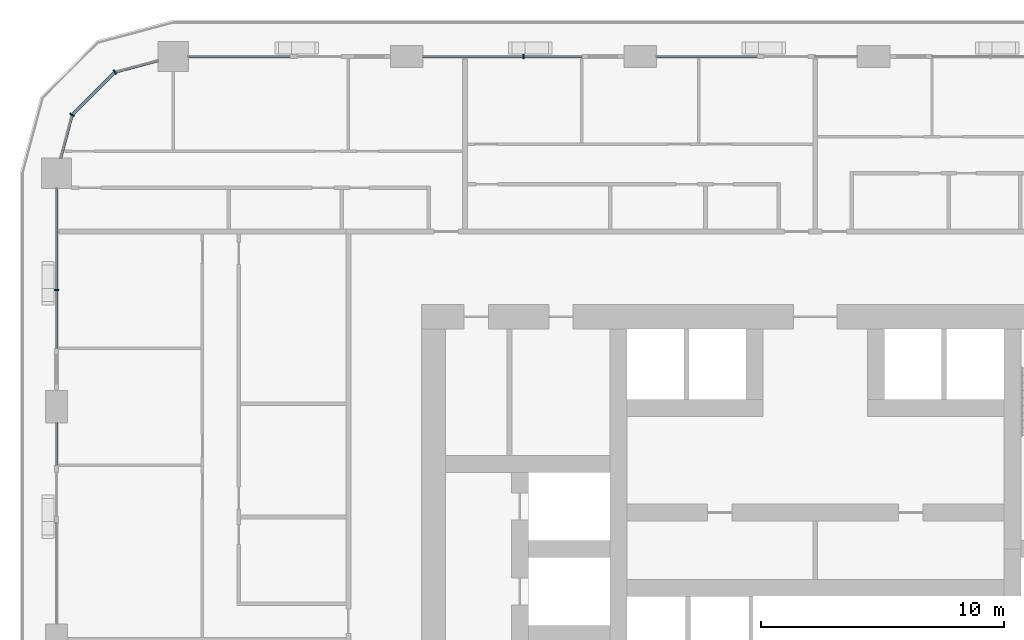
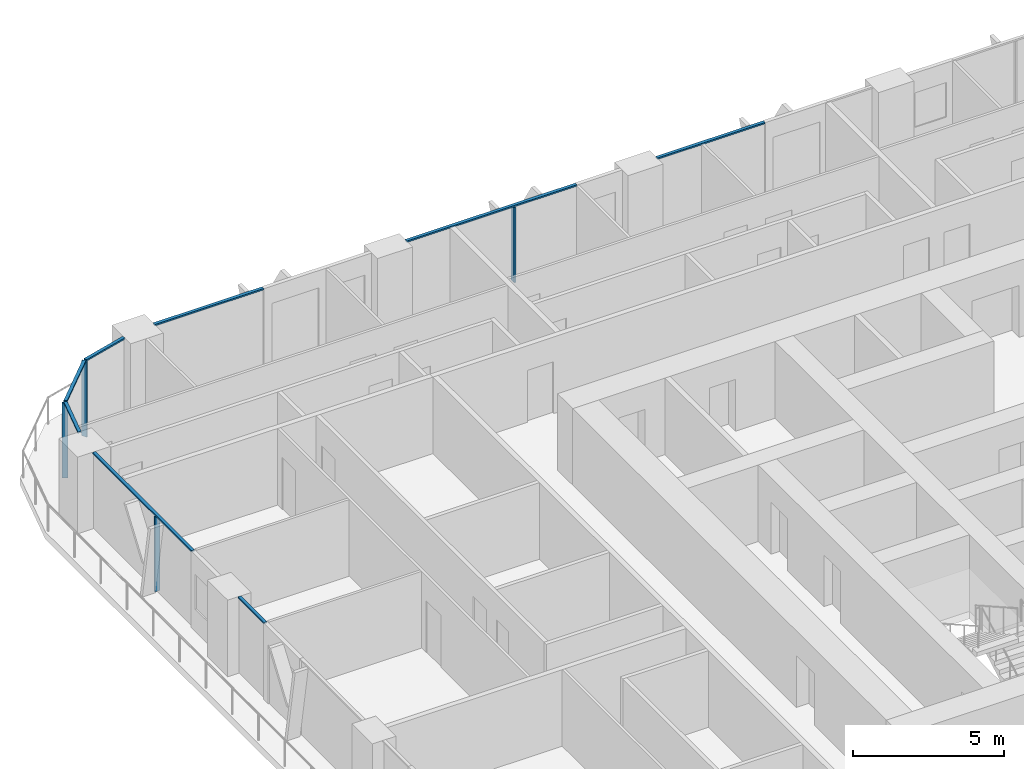
# One storey, part 5 of 21: 12 members, 6 elements without a shape of their own.
"""IFC4 building model written with IfcOpenShell, lengths in metres."""

from ifc_helpers import new_model, si_unit, direction, frame, origin, origin_2d, place, context, subcontext, project, spatial, rectangle, extrude, material, layer, layer_set, material_profile, profile_set, type_object, element, aggregate, save


model = new_model("IFC4")

# Units and contexts
model_context = context("Model", 3, precision=1e-05, world=origin(), true_north=direction((0.0, 1.0)))
body_context = subcontext(model_context, "Body", "Model", "MODEL_VIEW")
ifc_project = project(units=[si_unit("LENGTHUNIT", "METRE"), si_unit("AREAUNIT", "SQUARE_METRE"), si_unit("VOLUMEUNIT", "CUBIC_METRE"), si_unit("PLANEANGLEUNIT", "RADIAN"), si_unit("MASSUNIT", "GRAM", prefix="KILO")], contexts=[model_context])

# Site, building, storey
site_placement = place(None, origin())
site = spatial("IfcSite", under=ifc_project, at=site_placement, CompositionType="ELEMENT")
building_placement = place(site_placement, origin())
building = spatial("IfcBuilding", under=site, at=building_placement, Name="Madar Terraces", CompositionType="ELEMENT")
storey_placement = place(building_placement, frame((0.0, 0.0, 50.39990234375)))
storey = spatial("IfcBuildingStorey", under=building, at=storey_placement, Name="L12", CompositionType="ELEMENT", Elevation=50.39990234375)

# Curtain wall, member
ifc_material_1 = material(Name="Glass, ceramic frit dark grey, with black aluminium frame", Category="aluminium")
ifc_layer = layer(ifc_material_1, 0.199951171875)
ifc_layer_set = layer_set([ifc_layer], Name="Facade curtain wall, fritted glass")
curtain_wall_type = type_object("IfcCurtainWallType", Name="Facade curtain wall, fritted glass", PredefinedType="NOTDEFINED", material=ifc_layer_set)
curtain_wall_1_placement = place(storey_placement, origin())
curtain_wall_1 = element("IfcCurtainWall", 1, at=curtain_wall_1_placement, inside=storey, type_object=curtain_wall_type, Name="Outer skin curtain wall north bay 4", PredefinedType="NOTDEFINED")
ifc_material_2 = material(Name="Aluminium, black anodised", Category="aluminium")
ifc_material_profile_1 = material_profile(ifc_material_2, rectangle(XDim=0.199951171875, YDim=0.06005859375, at=origin_2d()), Name="Facade mullion 60x200")
ifc_profile_set_1 = profile_set([ifc_material_profile_1], Name="Aluminium, black anodised")
member_type_1 = type_object("IfcMemberType", Name="Facade mullion 60x200", PredefinedType="MULLION", material=ifc_profile_set_1)
member_1_placement = place(storey_placement, frame((19.199951171875, 48.0, 0.0), z_axis=(0.0, 0.0, 1.0), x_axis=(0.0, -1.0, 0.0)))
member_1 = element("IfcMember", 2, at=member_1_placement, type_object=member_type_1, Name="Mullion 1", PredefinedType="MULLION", context=body_context, shape_type="SweptSolid", body=[
    extrude(rectangle(XDim=0.199951171875, YDim=0.06005859375, at=origin_2d()), origin(), (0.0, 0.0, 1.0), 3.0400390625),
])

curtain_wall_2_placement = place(storey_placement, origin())
curtain_wall_2 = element("IfcCurtainWall", 3, at=curtain_wall_2_placement, inside=storey, type_object=curtain_wall_type, Name="Outer skin curtain wall west bay 1", PredefinedType="NOTDEFINED")
member_2_placement = place(storey_placement, frame((0.0, 38.39990234375, 0.0), z_axis=(0.0, 0.0, 1.0), x_axis=(1.0, 0.0, 0.0)))
member_2 = element("IfcMember", 4, at=member_2_placement, type_object=member_type_1, Name="Mullion 1", PredefinedType="MULLION", context=body_context, shape_type="SweptSolid", body=[
    extrude(rectangle(XDim=0.199951171875, YDim=0.06005859375, at=origin_2d()), origin(), (0.0, 0.0, 1.0), 3.0400390625),
])

# Curtain wall, members
curtain_wall_3_placement = place(storey_placement, origin())
curtain_wall_3 = element("IfcCurtainWall", 5, at=curtain_wall_3_placement, inside=storey, type_object=curtain_wall_type, Name="Outer skin curtain wall north-west corner", PredefinedType="NOTDEFINED")
member_3_placement = place(storey_placement, frame((2.39990234375, 47.35693359375, 0.0), z_axis=(0.0, 0.0, 1.0), x_axis=(0.499999989586, -0.866025409797, 0.0)))
member_3 = element("IfcMember", 6, at=member_3_placement, type_object=member_type_1, Name="Mullion 1", PredefinedType="MULLION", context=body_context, shape_type="SweptSolid", body=[
    extrude(rectangle(XDim=0.199951171875, YDim=0.06005859375, at=origin_2d()), origin(), (0.0, 0.0, 1.0), 3.0400390625),
])
member_4_placement = place(storey_placement, frame((0.64306640625, 45.60009765625, 0.0), z_axis=(0.0, 0.0, 1.0), x_axis=(0.866025409797, -0.499999989586, 0.0)))
member_4 = element("IfcMember", 7, at=member_4_placement, type_object=member_type_1, Name="Mullion 2", PredefinedType="MULLION", context=body_context, shape_type="SweptSolid", body=[
    extrude(rectangle(XDim=0.199951171875, YDim=0.06005859375, at=origin_2d()), origin(), (0.0, 0.0, 1.0), 3.0400390625),
])

# Curtain wall, member
curtain_wall_4_placement = place(storey_placement, origin())
curtain_wall_4 = element("IfcCurtainWall", 8, at=curtain_wall_4_placement, inside=storey, type_object=curtain_wall_type, Name="Outer skin curtain wall north bay 3", PredefinedType="NOTDEFINED")
ifc_material_3 = material(Name="Aluminium, black anodised", Category="aluminium")
ifc_material_profile_2 = material_profile(ifc_material_3, rectangle(XDim=0.1201171875, YDim=0.06005859375, at=origin_2d()), Name="Facade transom 60x120")
ifc_profile_set_2 = profile_set([ifc_material_profile_2], Name="Aluminium, black anodised")
member_type_2 = type_object("IfcMemberType", Name="Facade transom 60x120", PredefinedType="USERDEFINED", material=ifc_profile_set_2)
member_5_placement = place(storey_placement, frame((28.800048828125, 48.0, 3.070068359375), z_axis=(-1.0, 0.0, 0.0), x_axis=(0.0, -1.0, 0.0)))
member_5 = element("IfcMember", 9, at=member_5_placement, type_object=member_type_2, Name="Transom 2", ObjectType="TRANSOM", PredefinedType="USERDEFINED", context=body_context, shape_type="SweptSolid", body=[
    extrude(rectangle(XDim=0.1201171875, YDim=0.06005859375, at=origin_2d()), origin(), (0.0, 0.0, 1.0), 4.125),
])
aggregate(curtain_wall_4, [member_5])

# Member
member_6_placement = place(storey_placement, frame((21.60009765625, 48.0, 3.070068359375), z_axis=(-1.0, 0.0, 0.0), x_axis=(0.0, -1.0, 0.0)))
member_6 = element("IfcMember", 10, at=member_6_placement, type_object=member_type_2, Name="Transom 1", ObjectType="TRANSOM", PredefinedType="USERDEFINED", context=body_context, shape_type="SweptSolid", body=[
    extrude(rectangle(XDim=0.1201171875, YDim=0.06005859375, at=origin_2d()), origin(), (0.0, 0.0, 1.0), 6.525146484375),
])

aggregate(curtain_wall_1, [member_1, member_6])

# Curtain wall, member
curtain_wall_5_placement = place(storey_placement, origin())
curtain_wall_5 = element("IfcCurtainWall", 11, at=curtain_wall_5_placement, inside=storey, type_object=curtain_wall_type, Name="Outer skin curtain wall north bay 5", PredefinedType="NOTDEFINED")
member_7_placement = place(storey_placement, frame((9.60009765625, 48.0, 3.070068359375), z_axis=(-1.0, 0.0, 0.0), x_axis=(0.0, -1.0, 0.0)))
member_7 = element("IfcMember", 12, at=member_7_placement, type_object=member_type_2, Name="Transom 1", ObjectType="TRANSOM", PredefinedType="USERDEFINED", context=body_context, shape_type="SweptSolid", body=[
    extrude(rectangle(XDim=0.1201171875, YDim=0.06005859375, at=origin_2d()), origin(), (0.0, 0.0, 1.0), 4.175048828125),
])
aggregate(curtain_wall_5, [member_7])

# Member
member_8_placement = place(storey_placement, frame((0.0, 42.574951171875, 3.070068359375), z_axis=(0.0, -1.0, 0.0), x_axis=(1.0, 0.0, 0.0)))
member_8 = element("IfcMember", 13, at=member_8_placement, type_object=member_type_2, Name="Transom 1", ObjectType="TRANSOM", PredefinedType="USERDEFINED", context=body_context, shape_type="SweptSolid", body=[
    extrude(rectangle(XDim=0.1201171875, YDim=0.06005859375, at=origin_2d()), origin(), (0.0, 0.0, 1.0), 6.574951171875),
])

aggregate(curtain_wall_2, [member_2, member_8])

# Curtain wall, member
curtain_wall_6_placement = place(storey_placement, origin())
curtain_wall_6 = element("IfcCurtainWall", 14, at=curtain_wall_6_placement, inside=storey, type_object=curtain_wall_type, Name="Outer skin curtain wall west bay 2", PredefinedType="NOTDEFINED")
member_9_placement = place(storey_placement, frame((0.0, 32.925048828125, 3.070068359375), z_axis=(0.0, -1.0, 0.0), x_axis=(1.0, 0.0, 0.0)))
member_9 = element("IfcMember", 15, at=member_9_placement, type_object=member_type_2, Name="Transom 1", ObjectType="TRANSOM", PredefinedType="USERDEFINED", context=body_context, shape_type="SweptSolid", body=[
    extrude(rectangle(XDim=0.1201171875, YDim=0.06005859375, at=origin_2d()), origin(), (0.0, 0.0, 1.0), 1.72509765625),
])
aggregate(curtain_wall_6, [member_9])

# Member
member_10_placement = place(storey_placement, frame((4.175048828125, 47.83251953125, 3.070068359375), z_axis=(-0.965938406667, -0.258772089929, 0.0), x_axis=(0.258772089929, -0.965938406667, 0.0)))
member_10 = element("IfcMember", 16, at=member_10_placement, type_object=member_type_2, Name="Transom 1", ObjectType="TRANSOM", PredefinedType="USERDEFINED", context=body_context, shape_type="SweptSolid", body=[
    extrude(rectangle(XDim=0.1201171875, YDim=0.06005859375, at=origin_2d()), origin(), (0.0, 0.0, 1.0), 1.8076171875),
])

member_11_placement = place(storey_placement, frame((2.37890625, 47.335693359375, 3.070068359375), z_axis=(-0.707106781187, -0.707106781187, 0.0), x_axis=(0.707106781187, -0.707106781187, 0.0)))
member_11 = element("IfcMember", 17, at=member_11_placement, type_object=member_type_2, Name="Transom 2", ObjectType="TRANSOM", PredefinedType="USERDEFINED", context=body_context, shape_type="SweptSolid", body=[
    extrude(rectangle(XDim=0.1201171875, YDim=0.06005859375, at=origin_2d()), origin(), (0.0, 0.0, 1.0), 2.4248046875),
])

member_12_placement = place(storey_placement, frame((0.63525390625, 45.571044921875, 3.070068359375), z_axis=(-0.258772089929, -0.965938406667, 0.0), x_axis=(0.965938406667, -0.258772089929, 0.0)))
member_12 = element("IfcMember", 18, at=member_12_placement, type_object=member_type_2, Name="Transom 3", ObjectType="TRANSOM", PredefinedType="USERDEFINED", context=body_context, shape_type="SweptSolid", body=[
    extrude(rectangle(XDim=0.1201171875, YDim=0.06005859375, at=origin_2d()), origin(), (0.0, 0.0, 1.0), 1.8076171875),
])

aggregate(curtain_wall_3, [member_3, member_10, member_4, member_11, member_12])

save(model, "model.ifc")
